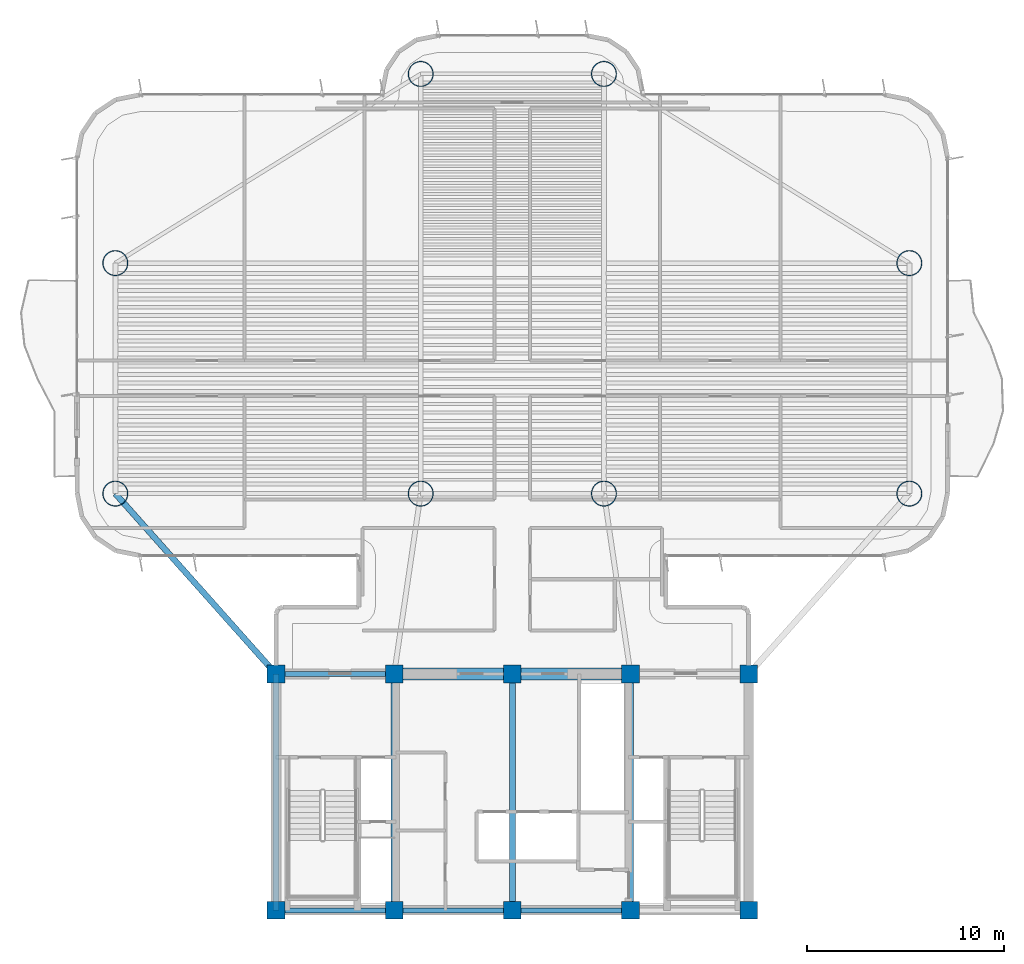
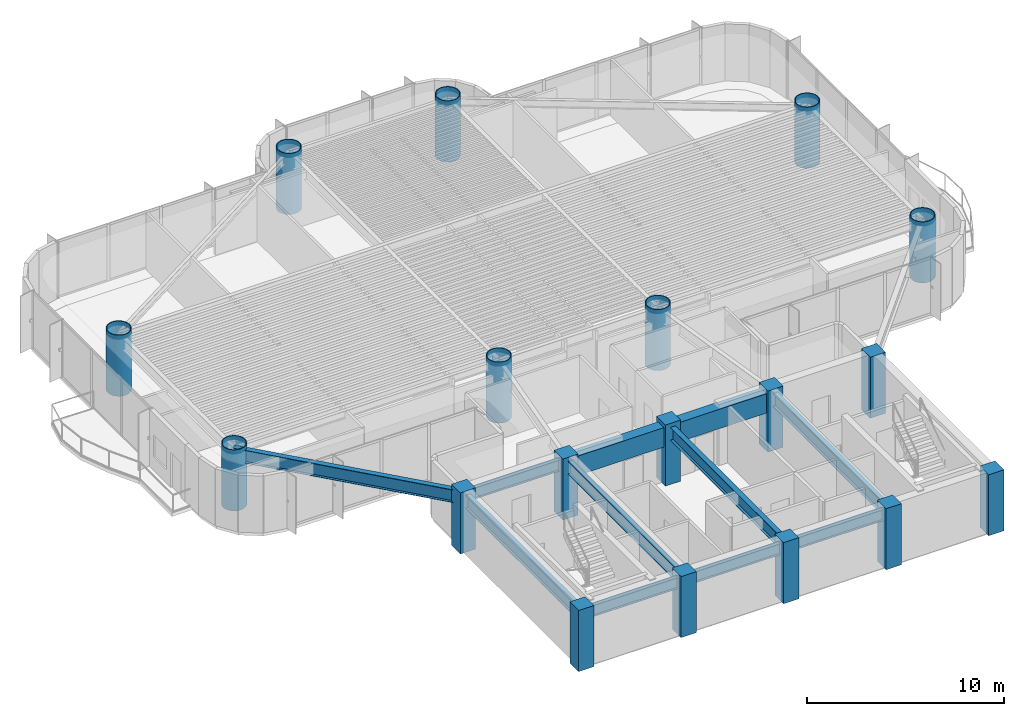
# One storey, part 1 of 16: 18 columns, 10 beams.
"""IFC4 building model written with IfcOpenShell, lengths in metres."""

import ifcopenshell
import ifcopenshell.guid

model = None  # the IFC model being written
_history = None  # IfcOwnerHistory: only IFC2X3 demands one
_inside = {}  # id of a spatial element -> (the spatial element, [elements in it])
_under = {}  # id of a project, library or spatial element -> (it, [spatial elements below it])
_declared = {}  # id of a project -> (the project, [libraries it declares])
_typed = {}  # id of a type object -> (the type object, [elements of that type])
_made_of = {}  # id of a material, layer set ... -> (it, [elements and type objects made of it])


def new_model(schema):
    """Start an empty IFC model of exactly this schema.

    Asked for "IFC4X3", IfcOpenShell would pick the latest addendum, in which some entities
    have other attributes; the version numbers below select the first issue.
    IFC2X3 requires an IfcOwnerHistory on every rooted entity: one is made here for all.
    """
    global model, _history
    if schema == "IFC4X3":
        model = ifcopenshell.file(schema_version=(4, 3, 0, 0))
    else:
        model = ifcopenshell.file(schema=schema)
    _inside.clear()
    _under.clear()
    _declared.clear()
    _typed.clear()
    _made_of.clear()
    _history = None
    if model.schema == "IFC2X3":
        org = make("IfcOrganization", Name="unknown")
        user = make(
            "IfcPersonAndOrganization",
            ThePerson=make("IfcPerson", FamilyName="unknown"),
            TheOrganization=org,
        )
        app = make(
            "IfcApplication",
            ApplicationDeveloper=org,
            Version="unknown",
            ApplicationFullName="unknown",
            ApplicationIdentifier="unknown",
        )
        _history = make(
            "IfcOwnerHistory",
            OwningUser=user,
            OwningApplication=app,
            ChangeAction="ADDED",
            CreationDate=0,
        )
    return model


def make(cls, **values):
    """One entity of the class cls with the attributes given. An attribute that is None is left unset."""
    return model.create_entity(
        cls, **{name: value for name, value in values.items() if value is not None}
    )


def rooted(cls, **values):
    """An entity with a GlobalId (a new one), such as an element, a storey or a relation."""
    return make(cls, GlobalId=ifcopenshell.guid.new(), OwnerHistory=_history, **values)


def si_unit(unit_type, name, prefix=None):
    """IfcSIUnit, for example si_unit("LENGTHUNIT", "METRE", prefix="MILLI")."""
    return make("IfcSIUnit", UnitType=unit_type, Prefix=prefix, Name=name)


def assignment(units):
    """IfcUnitAssignment: the units of a project."""
    return None if units is None else make("IfcUnitAssignment", Units=units)


def point(xyz):
    """IfcCartesianPoint."""
    return None if xyz is None else make("IfcCartesianPoint", Coordinates=xyz)


def direction(xyz):
    """IfcDirection."""
    return None if xyz is None else make("IfcDirection", DirectionRatios=xyz)


def frame(location, z_axis=None, x_axis=None):
    """IfcAxis2Placement3D, a coordinate frame: its origin and axes. An axis left out is left unset."""
    return make(
        "IfcAxis2Placement3D",
        Location=point(location),
        Axis=direction(z_axis),
        RefDirection=direction(x_axis),
    )


def frame_2d(location, x_axis=None):
    """IfcAxis2Placement2D, a coordinate frame in the plane: its origin and x axis."""
    return make(
        "IfcAxis2Placement2D", Location=point(location), RefDirection=direction(x_axis)
    )


def origin():
    """The frame at (0, 0, 0) with its axes left unset."""
    return frame((0.0, 0.0, 0.0))


def origin_2d():
    """The frame at (0, 0) in the plane with its x axis left unset."""
    return frame_2d((0.0, 0.0))


def place(relative_to, where):
    """IfcLocalPlacement: puts the frame where relative to a parent placement (None: the world)."""
    return make(
        "IfcLocalPlacement", PlacementRelTo=relative_to, RelativePlacement=where
    )


def context(
    kind, dimensions, precision=None, world=None, true_north=None, identifier=None
):
    """IfcGeometricRepresentationContext, for example the 3D "Model" context."""
    return make(
        "IfcGeometricRepresentationContext",
        ContextIdentifier=identifier,
        ContextType=kind,
        CoordinateSpaceDimension=dimensions,
        Precision=precision,
        WorldCoordinateSystem=world,
        TrueNorth=true_north,
    )


def subcontext(parent, identifier, kind, view, scale=None):
    """IfcGeometricRepresentationSubContext, for example "Body" below "Model"."""
    return make(
        "IfcGeometricRepresentationSubContext",
        ContextIdentifier=identifier,
        ContextType=kind,
        ParentContext=parent,
        TargetScale=scale,
        TargetView=view,
    )


def project(units=None, contexts=None):
    """IfcProject with its units and contexts."""
    return rooted(
        "IfcProject",
        Name="project",
        RepresentationContexts=contexts,
        UnitsInContext=assignment(units),
    )


def spatial(cls, under=None, at=None, **own):
    """A site, building, storey or space (cls), placed at a placement, below another one or the project."""
    s = rooted(cls, ObjectPlacement=at, **own)
    if under is not None:
        _under.setdefault(under.id(), (under, []))[1].append(s)
    return s


def profile(cls, at=None, kind="AREA", **sizes):
    """A parametric profile (cls). Its sizes go by their IFC names, for example OverallWidth=200.0."""
    return make(cls, ProfileType=kind, Position=at, **sizes)


def rectangle(**sizes):
    """IfcRectangleProfileDef."""
    return profile("IfcRectangleProfileDef", **sizes)


def hollow_circle(**sizes):
    """IfcCircleHollowProfileDef."""
    return profile("IfcCircleHollowProfileDef", **sizes)


def i_section(**sizes):
    """IfcIShapeProfileDef."""
    return profile("IfcIShapeProfileDef", **sizes)


def extrude(swept, where, along, depth):
    """IfcExtrudedAreaSolid: the profile swept, set in the frame where, extruded along a direction by depth."""
    return make(
        "IfcExtrudedAreaSolid",
        SweptArea=swept,
        Position=where,
        ExtrudedDirection=direction(along),
        Depth=depth,
    )


def shape(context_of_items, identifier, shape_type, items):
    """IfcShapeRepresentation: the items that make up one representation, for example the "Body"."""
    return make(
        "IfcShapeRepresentation",
        ContextOfItems=context_of_items,
        RepresentationIdentifier=identifier,
        RepresentationType=shape_type,
        Items=items,
    )


def source(mapping_origin, context_of_items, identifier, shape_type, items):
    """IfcRepresentationMap: a shape defined once, which mapped items show again and again."""
    return make(
        "IfcRepresentationMap",
        MappingOrigin=mapping_origin,
        MappedRepresentation=shape(context_of_items, identifier, shape_type, items),
    )


def transform(
    local_origin,
    x_axis=None,
    y_axis=None,
    z_axis=None,
    scale=None,
    scale2=None,
    scale3=None,
    uniform=True,
):
    """IfcCartesianTransformationOperator3D, or its non-uniform kind. x_axis, y_axis, z_axis: its Axis1, 2, 3."""
    if uniform:
        return make(
            "IfcCartesianTransformationOperator3D",
            Axis1=direction(x_axis),
            Axis2=direction(y_axis),
            LocalOrigin=point(local_origin),
            Scale=scale,
            Axis3=direction(z_axis),
        )
    return make(
        "IfcCartesianTransformationOperator3DnonUniform",
        Axis1=direction(x_axis),
        Axis2=direction(y_axis),
        LocalOrigin=point(local_origin),
        Scale=scale,
        Axis3=direction(z_axis),
        Scale2=scale2,
        Scale3=scale3,
    )


def mapped(mapping_source, mapping_target):
    """IfcMappedItem: shows the shape of a source again, moved by a transform."""
    return make(
        "IfcMappedItem", MappingSource=mapping_source, MappingTarget=mapping_target
    )


def material(Name=None, Category=None):
    """IfcMaterial."""
    return make("IfcMaterial", Name=Name, Category=Category)


def material_profile(
    of_material, cross_section, Name=None, Category=None, Priority=None
):
    """IfcMaterialProfile: a cross section and its material."""
    return make(
        "IfcMaterialProfile",
        Name=Name,
        Material=of_material,
        Profile=cross_section,
        Priority=Priority,
        Category=Category,
    )


def profile_set(profiles, Name=None, composite=None):
    """IfcMaterialProfileSet."""
    return make(
        "IfcMaterialProfileSet",
        Name=Name,
        MaterialProfiles=profiles,
        CompositeProfile=composite,
    )


def made_of(thing, what):
    """Note that an element or type object is made of a material, layer set ...; save() writes the relation."""
    if what is not None:
        _made_of.setdefault(what.id(), (what, []))[1].append(thing)
    return thing


def type_object(cls, material=None, **own):
    """A type object (cls), such as IfcWallType, which elements share."""
    return made_of(rooted(cls, **own), material)


def element(
    cls,
    number,
    at=None,
    inside=None,
    cuts=None,
    type_object=None,
    material=None,
    context=None,
    identifier="Body",
    shape_type=None,
    held_by="IfcProductDefinitionShape",
    body=None,
    shapes=None,
    **own,
):
    """One element of the class cls, such as IfcWall. Its Tag is "e" and its number.

    at: its placement. inside: the storey or other place that contains it. cuts: it is an
    opening in that element (IfcRelVoidsElement). A single representation is given by context,
    identifier, shape_type and body (its items); several are given by shapes. held_by: the class
    of the entity that holds the representations. save() writes the other relations.
    """
    e = rooted(cls, Tag="e%d" % number, ObjectPlacement=at, **own)
    if body is not None:
        shapes = [shape(context, identifier, shape_type, body)]
    if shapes is not None:
        e.Representation = make(held_by, Representations=shapes)
    if inside is not None:
        _inside.setdefault(inside.id(), (inside, []))[1].append(e)
    if cuts is not None:
        rooted(
            "IfcRelVoidsElement", RelatingBuildingElement=cuts, RelatedOpeningElement=e
        )
    if type_object is not None:
        _typed.setdefault(type_object.id(), (type_object, []))[1].append(e)
    return made_of(e, material)


def aggregate(whole, parts):
    """IfcRelAggregates: a whole, such as a stair, and the parts it consists of."""
    return rooted("IfcRelAggregates", RelatingObject=whole, RelatedObjects=parts)


def save(model, path):
    """Write the relations noted so far, then the file.

    IfcRelAggregates (storeys below a building ...), IfcRelContainedInSpatialStructure (elements
    in a storey), IfcRelDefinesByType, IfcRelAssociatesMaterial and IfcRelDeclares: one each for
    every whole, place, type object, material and project.
    """
    for whole, parts in _under.values():
        aggregate(whole, parts)
    for where, things in _inside.values():
        rooted(
            "IfcRelContainedInSpatialStructure",
            RelatedElements=things,
            RelatingStructure=where,
        )
    for kind, things in _typed.values():
        rooted("IfcRelDefinesByType", RelatedObjects=things, RelatingType=kind)
    for what, things in _made_of.values():
        rooted("IfcRelAssociatesMaterial", RelatedObjects=things, RelatingMaterial=what)
    for by, libraries in _declared.values():
        rooted("IfcRelDeclares", RelatingContext=by, RelatedDefinitions=libraries)
    model.write(path)


model = new_model("IFC4")

# Units and contexts
model_context = context("Model", 3, precision=1e-05, world=origin(), true_north=direction((0.0, 1.0)))
body_context = subcontext(model_context, "Body", "Model", "MODEL_VIEW")
ifc_project = project(units=[si_unit("LENGTHUNIT", "METRE"), si_unit("AREAUNIT", "SQUARE_METRE"), si_unit("VOLUMEUNIT", "CUBIC_METRE"), si_unit("PLANEANGLEUNIT", "RADIAN"), si_unit("MASSUNIT", "GRAM", prefix="KILO")], contexts=[model_context])

# Site, building, storey
site_placement = place(None, origin())
site = spatial("IfcSite", under=ifc_project, at=site_placement, CompositionType="ELEMENT")
building_placement = place(site_placement, origin())
building = spatial("IfcBuilding", under=site, at=building_placement, Name="Brelvock Crest Care Tower", CompositionType="ELEMENT")
storey_placement = place(building_placement, frame((0.0, 0.0, 112.5)))
storey = spatial("IfcBuildingStorey", under=building, at=storey_placement, Name="L28", CompositionType="ELEMENT", Elevation=112.5)

# Columns
ifc_material_1 = material(Name="Concrete S80 (80 MPa)", Category="concrete")
ifc_material_profile_1 = material_profile(ifc_material_1, rectangle(XDim=0.89990234375, YDim=0.89990234375, at=origin_2d()), Name="RC900x900")
ifc_profile_set_1 = profile_set([ifc_material_profile_1], Name="Concrete S80 (80 MPa)")
column_type_1 = type_object("IfcColumnType", Name="COL-RC2", PredefinedType="COLUMN", material=ifc_profile_set_1)
shared_shape_1 = source(origin(), body_context, "Body", "SweptSolid", [
    extrude(rectangle(XDim=0.89990234375, YDim=0.89990234375, at=origin_2d()), origin(), (0.0, 0.0, 1.0), 3.780029296875),
])
for number, where, z_axis, x_axis, name in (
    (1, (24.0, 6.0, 0.0), (0.0, 0.0, 1.0), (1.0, 0.0, 0.0), "L28 Core Column CC-01"),
    (2, (30.0, 6.0, 0.0), (0.0, 0.0, 1.0), (1.0, 0.0, 0.0), "L28 Core Column CC-02"),
    (3, (36.0, 6.0, 0.0), (0.0, 0.0, 1.0), (1.0, 0.0, 0.0), "L28 Core Column CC-03"),
    (4, (42.0, 6.0, 0.0), (0.0, 0.0, 1.0), (1.0, 0.0, 0.0), "L28 Core Column CC-04"),
    (5, (48.0, 6.0, 0.0), (0.0, 0.0, 1.0), (1.0, 0.0, 0.0), "L28 Core Column CC-05"),
    (6, (24.0, 18.0, 0.0), (0.0, 0.0, 1.0), (1.0, 0.0, 0.0), "L28 Core Column CC-06"),
    (7, (30.0, 18.0, 0.0), (0.0, 0.0, 1.0), (1.0, 0.0, 0.0), "L28 Core Column CC-07"),
    (8, (36.0, 18.0, 0.0), (0.0, 0.0, 1.0), (1.0, 0.0, 0.0), "L28 Core Column CC-08"),
    (9, (42.0, 18.0, 0.0), (0.0, 0.0, 1.0), (1.0, 0.0, 0.0), "L28 Core Column CC-09"),
    (10, (48.0, 18.0, 0.0), (0.0, 0.0, 1.0), (1.0, 0.0, 0.0), "L28 Core Column CC-10"),
):
    element("IfcColumn", number, at=place(storey_placement, frame(where, z_axis=z_axis, x_axis=x_axis)), inside=storey, type_object=column_type_1, Name=name, PredefinedType="COLUMN", context=body_context, shape_type="MappedRepresentation", body=[
        mapped(shared_shape_1, transform((0.0, 0.0, 0.0), x_axis=(1.0, 0.0, 0.0), y_axis=(0.0, 1.0, 0.0), z_axis=(0.0, 0.0, 1.0), scale=1.0)),
    ])
ifc_material_2 = material(Name="Steel Grade 350", Category="steel")
ifc_material_profile_2 = material_profile(ifc_material_2, hollow_circle(Radius=0.64990234375, WallThickness=0.044921875, at=origin_2d()), Name="CFT1300x45")
ifc_profile_set_2 = profile_set([ifc_material_profile_2], Name="Steel Grade 350")
column_type_2 = type_object("IfcColumnType", Name="COL-MC2", PredefinedType="COLUMN", material=ifc_profile_set_2)
shared_shape_2 = source(origin(), body_context, "Body", "SweptSolid", [
    extrude(hollow_circle(Radius=0.64990234375, WallThickness=0.044921875, at=origin_2d()), origin(), (0.0, 0.0, 1.0), 3.780029296875),
])
for number, where, z_axis, x_axis, name in (
    (11, (15.85009765625, 27.14990234375, 0.0), (0.0, 0.0, 1.0), (1.0, 0.0, 0.0), "L28 Tower Column M1"),
    (12, (15.85009765625, 38.85009765625, 0.0), (0.0, 0.0, 1.0), (1.0, 0.0, 0.0), "L28 Tower Column M2"),
    (13, (56.14990234375, 27.14990234375, 0.0), (0.0, 0.0, 1.0), (1.0, 0.0, 0.0), "L28 Tower Column M3"),
    (14, (56.14990234375, 38.85009765625, 0.0), (0.0, 0.0, 1.0), (1.0, 0.0, 0.0), "L28 Tower Column M4"),
    (15, (31.35009765625, 27.14990234375, 0.0), (0.0, 0.0, 1.0), (1.0, 0.0, 0.0), "L28 Tower Column M5"),
    (16, (40.64990234375, 27.14990234375, 0.0), (0.0, 0.0, 1.0), (1.0, 0.0, 0.0), "L28 Tower Column M6"),
    (17, (31.35009765625, 48.449951171875, 0.0), (0.0, 0.0, 1.0), (1.0, 0.0, 0.0), "L28 Tower Column M7"),
    (18, (40.64990234375, 48.449951171875, 0.0), (0.0, 0.0, 1.0), (1.0, 0.0, 0.0), "L28 Tower Column M8"),
):
    element("IfcColumn", number, at=place(storey_placement, frame(where, z_axis=z_axis, x_axis=x_axis)), inside=storey, type_object=column_type_2, Name=name, PredefinedType="COLUMN", context=body_context, shape_type="MappedRepresentation", body=[
        mapped(shared_shape_2, transform((0.0, 0.0, 0.0), x_axis=(1.0, 0.0, 0.0), y_axis=(0.0, 1.0, 0.0), z_axis=(0.0, 0.0, 1.0), scale=1.0)),
    ])

# Beams
ifc_material_profile_3 = material_profile(ifc_material_1, rectangle(XDim=0.60009765625, YDim=1.199951171875, at=origin_2d()), Name="RC600x1200")
ifc_profile_set_3 = profile_set([ifc_material_profile_3], Name="Concrete S80 (80 MPa)")
beam_type_1 = type_object("IfcBeamType", Name="BM-LN1", PredefinedType="LINTEL", material=ifc_profile_set_3)
shared_shape_3 = source(origin(), body_context, "Body", "SweptSolid", [
    extrude(rectangle(XDim=0.60009765625, YDim=1.199951171875, at=origin_2d()), origin(), (0.0, 0.0, 1.0), 12.0),
])
beam_1_placement = place(storey_placement, frame((30.0, 18.0, 2.929931640625), z_axis=(1.0, 0.0, 0.0), x_axis=(0.0, 1.0, 0.0)))
element("IfcBeam", 19, at=beam_1_placement, inside=storey, type_object=beam_type_1, Name="L28 Core Coupling Lintel Beam", PredefinedType="LINTEL", context=body_context, shape_type="MappedRepresentation", body=[
    mapped(shared_shape_3, transform((0.0, 0.0, 0.0), x_axis=(1.0, 0.0, 0.0), y_axis=(0.0, 1.0, 0.0), z_axis=(0.0, 0.0, 1.0), scale=1.0)),
])
ifc_material_profile_4 = material_profile(ifc_material_2, i_section(OverallWidth=0.25, OverallDepth=0.699951171875, WebThickness=0.011962890625, FlangeThickness=0.02001953125, at=origin_2d()), Name="700WB150")
ifc_profile_set_4 = profile_set([ifc_material_profile_4], Name="Steel Grade 350")
beam_type_2 = type_object("IfcBeamType", Name="BM-G4", PredefinedType="BEAM", material=ifc_profile_set_4)
shared_shape_4 = source(origin(), body_context, "Body", "SweptSolid", [
    extrude(i_section(OverallWidth=0.25, OverallDepth=0.699951171875, WebThickness=0.011962890625, FlangeThickness=0.02001953125, at=origin_2d()), origin(), (0.0, 0.0, 1.0), 6.0),
])
for number, where, z_axis, x_axis, name in (
    (20, (24.0, 6.0, 3.179931640625), (1.0, 0.0, 0.0), (0.0, 1.0, 0.0), "BM-CORES-L28-1"),
    (21, (24.0, 18.0, 3.179931640625), (1.0, 0.0, 0.0), (0.0, 1.0, 0.0), "BM-COREN-L28-1"),
    (22, (30.0, 6.0, 3.179931640625), (1.0, 0.0, 0.0), (0.0, 1.0, 0.0), "BM-CORES-L28-2"),
    (23, (36.0, 6.0, 3.179931640625), (1.0, 0.0, 0.0), (0.0, 1.0, 0.0), "BM-CORES-L28-3"),
):
    element("IfcBeam", number, at=place(storey_placement, frame(where, z_axis=z_axis, x_axis=x_axis)), inside=storey, type_object=beam_type_2, Name=name, PredefinedType="BEAM", context=body_context, shape_type="MappedRepresentation", body=[
        mapped(shared_shape_4, transform((0.0, 0.0, 0.0), x_axis=(1.0, 0.0, 0.0), y_axis=(0.0, 1.0, 0.0), z_axis=(0.0, 0.0, 1.0), scale=1.0)),
    ])
ifc_material_profile_5 = material_profile(ifc_material_2, i_section(OverallWidth=0.300048828125, OverallDepth=0.800048828125, WebThickness=0.013916015625, FlangeThickness=0.02197265625, at=origin_2d()), Name="800WB192")
ifc_profile_set_5 = profile_set([ifc_material_profile_5], Name="Steel Grade 350")
beam_type_3 = type_object("IfcBeamType", Name="BM-G5", PredefinedType="BEAM", material=ifc_profile_set_5)
shared_shape_5 = source(origin(), body_context, "Body", "SweptSolid", [
    extrude(i_section(OverallWidth=0.300048828125, OverallDepth=0.800048828125, WebThickness=0.013916015625, FlangeThickness=0.02197265625, at=origin_2d()), origin(), (0.0, 0.0, 1.0), 12.0),
])
for number, where, z_axis, x_axis, name in (
    (24, (24.0, 6.0, 3.1298828125), (0.0, 1.0, 0.0), (-1.0, 0.0, 0.0), "BM-COREX-L28-1"),
    (25, (30.0, 6.0, 3.1298828125), (0.0, 1.0, 0.0), (-1.0, 0.0, 0.0), "BM-COREX-L28-2"),
    (26, (36.0, 6.0, 3.1298828125), (0.0, 1.0, 0.0), (-1.0, 0.0, 0.0), "BM-COREX-L28-3"),
    (27, (42.0, 6.0, 3.1298828125), (0.0, 1.0, 0.0), (-1.0, 0.0, 0.0), "BM-COREX-L28-4"),
):
    element("IfcBeam", number, at=place(storey_placement, frame(where, z_axis=z_axis, x_axis=x_axis)), inside=storey, type_object=beam_type_3, Name=name, PredefinedType="BEAM", context=body_context, shape_type="MappedRepresentation", body=[
        mapped(shared_shape_5, transform((0.0, 0.0, 0.0), x_axis=(1.0, 0.0, 0.0), y_axis=(0.0, 1.0, 0.0), z_axis=(0.0, 0.0, 1.0), scale=1.0)),
    ])
shared_shape_6 = source(origin(), body_context, "Body", "SweptSolid", [
    extrude(i_section(OverallWidth=0.300048828125, OverallDepth=0.800048828125, WebThickness=0.013916015625, FlangeThickness=0.02197265625, at=origin_2d()), origin(), (0.0, 0.0, 1.0), 12.253173828125),
])
beam_2_placement = place(storey_placement, frame((24.0, 18.0, 3.1298828125), z_axis=(-0.665122829149, 0.746733970129, 0.0), x_axis=(-0.746733970129, -0.665122829149, 0.0)))
element("IfcBeam", 28, at=beam_2_placement, inside=storey, type_object=beam_type_3, Name="BM-THRO-W-L28", PredefinedType="BEAM", context=body_context, shape_type="MappedRepresentation", body=[
    mapped(shared_shape_6, transform((0.0, 0.0, 0.0), x_axis=(1.0, 0.0, 0.0), y_axis=(0.0, 1.0, 0.0), z_axis=(0.0, 0.0, 1.0), scale=1.0)),
])

save(model, "model.ifc")
